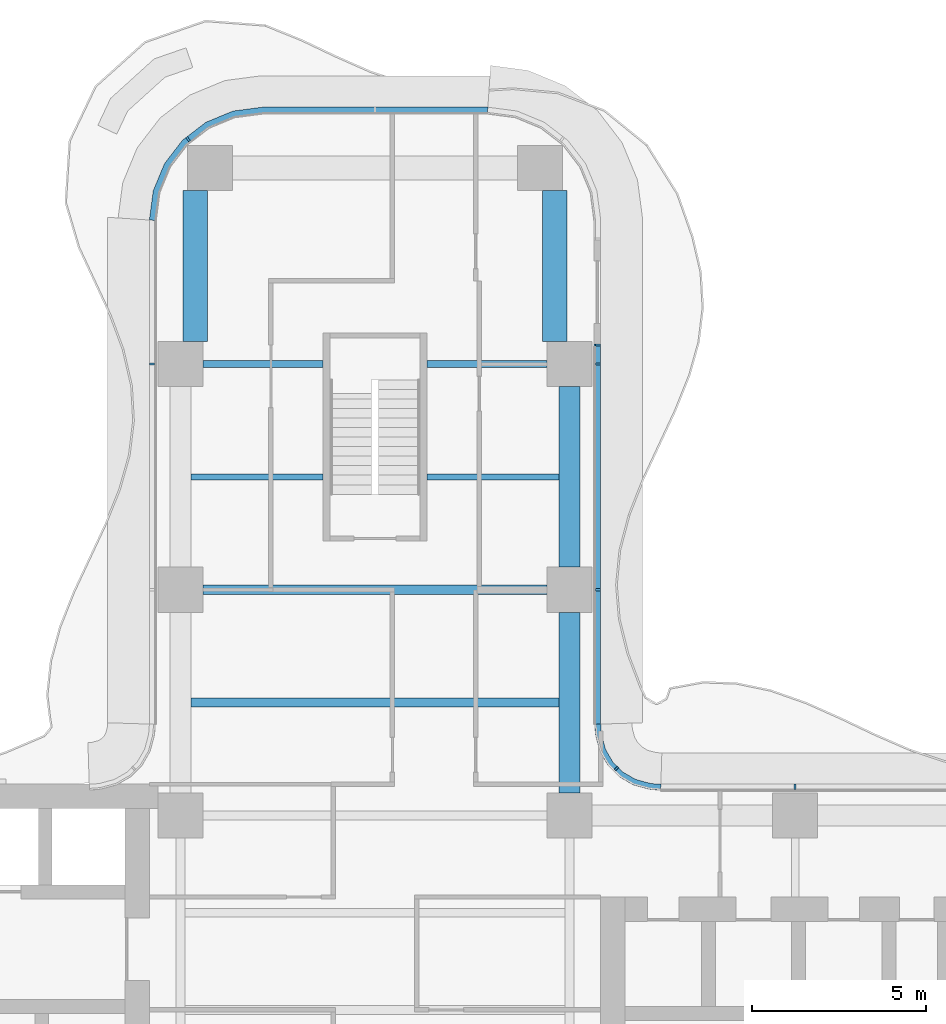
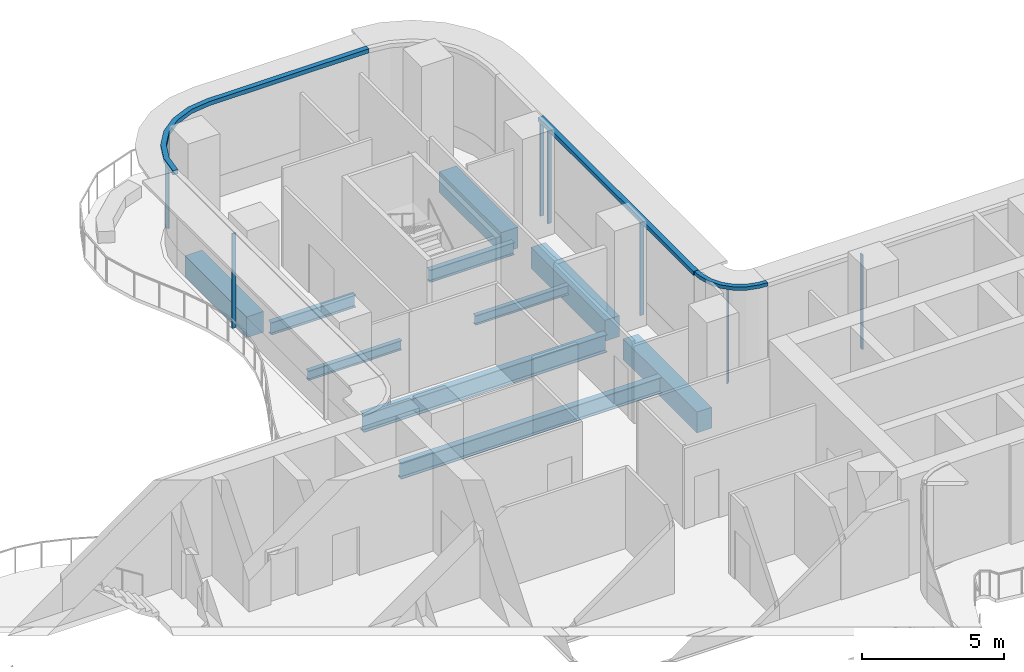
# One storey, part 9 of 20: 10 beams, 10 members, 5 elements without a shape of their own.
"""IFC4 building model written with IfcOpenShell, lengths in metres."""

from ifc_helpers import new_model, si_unit, direction, frame, origin, origin_2d, place, context, subcontext, project, spatial, polyline, rectangle, i_section, outline, extrude, source, transform, mapped, material, layer, layer_set, material_profile, profile_set, type_object, element, aggregate, save


model = new_model("IFC4")

# Units and contexts
model_context = context("Model", 3, precision=1e-05, world=origin(), true_north=direction((0.0, 1.0)))
body_context = subcontext(model_context, "Body", "Model", "MODEL_VIEW")
ifc_project = project(units=[si_unit("LENGTHUNIT", "METRE"), si_unit("AREAUNIT", "SQUARE_METRE"), si_unit("VOLUMEUNIT", "CUBIC_METRE"), si_unit("PLANEANGLEUNIT", "RADIAN"), si_unit("MASSUNIT", "GRAM", prefix="KILO")], contexts=[model_context])

# Site, building, storey
site_placement = place(None, origin())
site = spatial("IfcSite", under=ifc_project, at=site_placement, CompositionType="ELEMENT")
building_placement = place(site_placement, origin())
building = spatial("IfcBuilding", under=site, at=building_placement, Name="Trellis Farm Tower", CompositionType="ELEMENT")
storey_placement = place(building_placement, frame((0.0, 0.0, 133.5)))
storey = spatial("IfcBuildingStorey", under=building, at=storey_placement, Name="L28", CompositionType="ELEMENT", Elevation=133.5)

# Beams
ifc_material_1 = material(Name="Steel S355", Category="steel")
ifc_material_profile_1 = material_profile(ifc_material_1, i_section(OverallWidth=0.177978515625, OverallDepth=0.406494140625, WebThickness=0.0078125, FlangeThickness=0.0126953125, FilletRadius=0.01025390625, at=origin_2d()), Name="UB 406x178x60")
ifc_profile_set_1 = profile_set([ifc_material_profile_1], Name="Steel S355")
beam_type_1 = type_object("IfcBeamType", Name="UB 406x178x60 joist", PredefinedType="JOIST", material=ifc_profile_set_1)
shared_shape_1 = source(origin(), body_context, "Body", "SweptSolid", [
    extrude(i_section(OverallWidth=0.177978515625, OverallDepth=0.406494140625, WebThickness=0.0078125, FlangeThickness=0.0126953125, FilletRadius=0.01025390625, at=origin_2d()), origin(), (0.0, 0.0, 1.0), 3.800048828125),
])
for number, where, z_axis, x_axis, name in (
    (1, (-5.300048828125, 15.35009765625, -0.453125), (1.0, 0.0, 0.0), (0.0, 1.0, 0.0), "Floor beam"),
    (2, (1.5, 15.35009765625, -0.453125), (1.0, 0.0, 0.0), (0.0, 1.0, 0.0), "Floor beam"),
):
    element("IfcBeam", number, at=place(storey_placement, frame(where, z_axis=z_axis, x_axis=x_axis)), inside=storey, type_object=beam_type_1, Name=name, PredefinedType="JOIST", context=body_context, shape_type="MappedRepresentation", body=[
        mapped(shared_shape_1, transform((0.0, 0.0, 0.0))),
    ])
ifc_material_profile_2 = material_profile(ifc_material_1, i_section(OverallWidth=0.253662109375, OverallDepth=0.68359375, WebThickness=0.012451171875, FlangeThickness=0.021728515625, FilletRadius=0.01513671875, at=origin_2d()), Name="UB 686x254x140")
ifc_profile_set_2 = profile_set([ifc_material_profile_2], Name="Steel S355")
beam_type_2 = type_object("IfcBeamType", Name="UB 686x254x140 joist", PredefinedType="JOIST", material=ifc_profile_set_2)
shared_shape_2 = source(origin(), body_context, "Body", "SweptSolid", [
    extrude(i_section(OverallWidth=0.253662109375, OverallDepth=0.68359375, WebThickness=0.012451171875, FlangeThickness=0.021728515625, FilletRadius=0.01513671875, at=origin_2d()), origin(), (0.0, 0.0, 1.0), 10.60009765625),
])
beam_1_placement = place(storey_placement, frame((-5.300048828125, 8.85009765625, -0.591796875), z_axis=(1.0, 0.0, 0.0), x_axis=(0.0, 1.0, 0.0)))
element("IfcBeam", 3, at=beam_1_placement, inside=storey, type_object=beam_type_2, Name="Floor beam", PredefinedType="JOIST", context=body_context, shape_type="MappedRepresentation", body=[
    mapped(shared_shape_2, transform((0.0, 0.0, 0.0))),
])
ifc_material_profile_3 = material_profile(ifc_material_1, i_section(OverallWidth=0.209228515625, OverallDepth=0.533203125, WebThickness=0.010009765625, FlangeThickness=0.015625, FilletRadius=0.0126953125, at=origin_2d()), Name="UB 533x210x92")
ifc_profile_set_3 = profile_set([ifc_material_profile_3], Name="Steel S355")
beam_type_3 = type_object("IfcBeamType", Name="UB 533x210x92", PredefinedType="BEAM", material=ifc_profile_set_3)
shared_shape_3 = source(origin(), body_context, "Body", "SweptSolid", [
    extrude(i_section(OverallWidth=0.209228515625, OverallDepth=0.533203125, WebThickness=0.010009765625, FlangeThickness=0.015625, FilletRadius=0.0126953125, at=origin_2d()), origin(), (0.0, 0.0, 1.0), 3.449951171875),
])
for number, where, z_axis, x_axis, name in (
    (4, (-4.949951171875, 18.60009765625, -0.5166015625), (1.0, 0.0, 0.0), (0.0, 1.0, 0.0), "Girder"),
    (5, (1.5, 18.60009765625, -0.5166015625), (1.0, 0.0, 0.0), (0.0, 1.0, 0.0), "Girder"),
):
    element("IfcBeam", number, at=place(storey_placement, frame(where, z_axis=z_axis, x_axis=x_axis)), inside=storey, type_object=beam_type_3, Name=name, PredefinedType="BEAM", context=body_context, shape_type="MappedRepresentation", body=[
        mapped(shared_shape_3, transform((0.0, 0.0, 0.0))),
    ])
ifc_material_profile_4 = material_profile(ifc_material_1, i_section(OverallWidth=0.2666015625, OverallDepth=0.76220703125, WebThickness=0.014404296875, FlangeThickness=0.021484375, FilletRadius=0.0166015625, at=origin_2d()), Name="UB 762x267x173")
ifc_profile_set_4 = profile_set([ifc_material_profile_4], Name="Steel S355")
beam_type_4 = type_object("IfcBeamType", Name="UB 762x267x173", PredefinedType="BEAM", material=ifc_profile_set_4)
shared_shape_4 = source(origin(), body_context, "Body", "SweptSolid", [
    extrude(i_section(OverallWidth=0.2666015625, OverallDepth=0.76220703125, WebThickness=0.014404296875, FlangeThickness=0.021484375, FilletRadius=0.0166015625, at=origin_2d()), origin(), (0.0, 0.0, 1.0), 9.89990234375),
])
beam_2_placement = place(storey_placement, frame((-4.949951171875, 12.10009765625, -0.631103515625), z_axis=(1.0, 0.0, 0.0), x_axis=(0.0, 1.0, 0.0)))
element("IfcBeam", 6, at=beam_2_placement, inside=storey, type_object=beam_type_4, Name="Girder", PredefinedType="BEAM", context=body_context, shape_type="MappedRepresentation", body=[
    mapped(shared_shape_4, transform((0.0, 0.0, 0.0))),
])
ifc_material_2 = material(Name="Concrete C60/75", Category="concrete")
ifc_material_profile_5 = material_profile(ifc_material_2, rectangle(XDim=0.60009765625, YDim=0.89990234375, at=origin_2d()), Name="RC spandrel beam 600x900 C60/75")
ifc_profile_set_5 = profile_set([ifc_material_profile_5], Name="Concrete C60/75")
beam_type_5 = type_object("IfcBeamType", Name="RC spandrel beam 600x900 C60/75", PredefinedType="SPANDREL", material=ifc_profile_set_5)
shared_shape_5 = source(origin(), body_context, "Body", "SweptSolid", [
    extrude(rectangle(XDim=0.60009765625, YDim=0.89990234375, at=origin_2d()), origin(), (0.0, 0.0, 1.0), 5.199951171875),
])
for number, where, z_axis, x_axis, name in (
    (7, (5.60009765625, 6.25, -0.699951171875), (0.0, 1.0, 0.0), (-1.0, 0.0, 0.0), "Girder"),
    (8, (5.60009765625, 12.75, -0.699951171875), (0.0, 1.0, 0.0), (-1.0, 0.0, 0.0), "Girder"),
):
    element("IfcBeam", number, at=place(storey_placement, frame(where, z_axis=z_axis, x_axis=x_axis)), inside=storey, type_object=beam_type_5, Name=name, PredefinedType="SPANDREL", context=body_context, shape_type="MappedRepresentation", body=[
        mapped(shared_shape_5, transform((0.0, 0.0, 0.0))),
    ])
ifc_material_profile_6 = material_profile(ifc_material_2, rectangle(XDim=0.699951171875, YDim=0.89990234375, at=origin_2d()), Name="RC spandrel beam 700x900 C60/75")
ifc_profile_set_6 = profile_set([ifc_material_profile_6], Name="Concrete C60/75")
beam_type_6 = type_object("IfcBeamType", Name="RC spandrel beam 700x900 C60/75", PredefinedType="SPANDREL", material=ifc_profile_set_6)
shared_shape_6 = source(origin(), body_context, "Body", "SweptSolid", [
    extrude(rectangle(XDim=0.699951171875, YDim=0.89990234375, at=origin_2d()), origin(), (0.0, 0.0, 1.0), 4.35009765625),
])
for number, where, z_axis, x_axis, name in (
    (9, (-5.175048828125, 19.25, -0.699951171875), (0.0, 1.0, 0.0), (-1.0, 0.0, 0.0), "Girder"),
    (10, (5.175048828125, 19.25, -0.699951171875), (0.0, 1.0, 0.0), (-1.0, 0.0, 0.0), "Girder"),
):
    element("IfcBeam", number, at=place(storey_placement, frame(where, z_axis=z_axis, x_axis=x_axis)), inside=storey, type_object=beam_type_6, Name=name, PredefinedType="SPANDREL", context=body_context, shape_type="MappedRepresentation", body=[
        mapped(shared_shape_6, transform((0.0, 0.0, 0.0))),
    ])

# Curtain wall, member
ifc_material_3 = material(Name="Aluminium and glass curtain wall", Category="aluminium")
ifc_layer_1 = layer(ifc_material_3, 0.18994140625)
ifc_layer_set_1 = layer_set([ifc_layer_1], Name="RIBBON CURTAIN WALL CW1")
curtain_wall_type_1 = type_object("IfcCurtainWallType", Name="RIBBON CURTAIN WALL CW1", PredefinedType="NOTDEFINED", material=ifc_layer_set_1)
placement_1 = place(storey_placement, origin())
curtain_wall_1 = element("IfcCurtainWall", 11, at=placement_1, inside=storey, type_object=curtain_wall_type_1, Name="CW1 007", PredefinedType="NOTDEFINED")
ifc_material_4 = material(Name="Aluminium extrusion 6063-T6", Category="aluminium")
ifc_material_profile_7 = material_profile(ifc_material_4, rectangle(XDim=0.06005859375, YDim=0.14990234375, at=origin_2d()), Name="MULLION 60x150")
ifc_profile_set_7 = profile_set([ifc_material_profile_7], Name="Aluminium extrusion 6063-T6")
member_type_1 = type_object("IfcMemberType", Name="CW1 MULLION 60x150", PredefinedType="MULLION", material=ifc_profile_set_7)
shared_shape_7 = source(origin(), body_context, "Body", "SweptSolid", [
    extrude(rectangle(XDim=0.06005859375, YDim=0.14990234375, at=origin_2d()), origin(), (0.0, 0.0, 1.0), 4.070068359375),
])
member_1_placement = place(storey_placement, frame((12.10009765625, 6.425048828125, 0.0), z_axis=(0.0, 0.0, 1.0), x_axis=(-1.0, 0.0, 0.0)))
member_1 = element("IfcMember", 12, at=member_1_placement, type_object=member_type_1, Name="MU1 007-02", PredefinedType="MULLION", context=body_context, shape_type="MappedRepresentation", body=[
    mapped(shared_shape_7, transform((0.0, 0.0, 0.0))),
])
aggregate(curtain_wall_1, [member_1])

# Curtain wall, members
curtain_wall_2 = element("IfcCurtainWall", 13, at=placement_1, inside=storey, type_object=curtain_wall_type_1, Name="CW1 008", PredefinedType="NOTDEFINED")
member_2_placement = place(storey_placement, frame((6.425048828125, 12.10009765625, 0.0), z_axis=(0.0, 0.0, 1.0), x_axis=(0.0, 1.0, 0.0)))
member_2 = element("IfcMember", 14, at=member_2_placement, type_object=member_type_1, Name="MU1 008-01", PredefinedType="MULLION", context=body_context, shape_type="MappedRepresentation", body=[
    mapped(shared_shape_7, transform((0.0, 0.0, 0.0))),
])
member_3_placement = place(storey_placement, frame((6.425048828125, 18.60009765625, 0.0), z_axis=(0.0, 0.0, 1.0), x_axis=(0.0, 1.0, 0.0)))
member_3 = element("IfcMember", 15, at=member_3_placement, type_object=member_type_1, Name="MU1 008-02", PredefinedType="MULLION", context=body_context, shape_type="MappedRepresentation", body=[
    mapped(shared_shape_7, transform((0.0, 0.0, 0.0))),
])
member_4_placement = place(storey_placement, frame((6.425048828125, 19.14501953125, 0.0), z_axis=(0.0, 0.0, 1.0), x_axis=(0.0, 1.0, 0.0)))
member_4 = element("IfcMember", 16, at=member_4_placement, type_object=member_type_1, Name="MU1 008-03", PredefinedType="MULLION", context=body_context, shape_type="MappedRepresentation", body=[
    mapped(shared_shape_7, transform((0.0, 0.0, 0.0))),
])

# Curtain wall, member
curtain_wall_3 = element("IfcCurtainWall", 17, at=placement_1, inside=storey, type_object=curtain_wall_type_1, Name="CW1 010", PredefinedType="NOTDEFINED")
member_5_placement = place(storey_placement, frame((-5.385498046875, 25.078369140625, 0.0), z_axis=(0.0, 0.0, 1.0), x_axis=(-0.793353340291, -0.608761429009, 0.0)))
member_5 = element("IfcMember", 18, at=member_5_placement, type_object=member_type_1, Name="MU1 010-02", PredefinedType="MULLION", context=body_context, shape_type="MappedRepresentation", body=[
    mapped(shared_shape_7, transform((0.0, 0.0, 0.0))),
])

curtain_wall_4 = element("IfcCurtainWall", 19, at=placement_1, inside=storey, type_object=curtain_wall_type_1, Name="CW1 011", PredefinedType="NOTDEFINED")
member_6_placement = place(storey_placement, frame((-6.425048828125, 18.60009765625, 0.0), z_axis=(0.0, 0.0, 1.0), x_axis=(0.0, -1.0, 0.0)))
member_6 = element("IfcMember", 20, at=member_6_placement, type_object=member_type_1, Name="MU1 011-01", PredefinedType="MULLION", context=body_context, shape_type="MappedRepresentation", body=[
    mapped(shared_shape_7, transform((0.0, 0.0, 0.0))),
])
aggregate(curtain_wall_4, [member_6])

# Curtain wall, members
ifc_layer_2 = layer(ifc_material_3, 0.166015625)
ifc_layer_set_2 = layer_set([ifc_layer_2], Name="WINTER GARDEN CURTAIN WALL CW3")
curtain_wall_type_2 = type_object("IfcCurtainWallType", Name="WINTER GARDEN CURTAIN WALL CW3", PredefinedType="NOTDEFINED", material=ifc_layer_set_2)
curtain_wall_5 = element("IfcCurtainWall", 21, at=placement_1, inside=storey, type_object=curtain_wall_type_2, Name="CW3 003", PredefinedType="NOTDEFINED")
ifc_material_profile_8 = material_profile(ifc_material_4, rectangle(XDim=0.050048828125, YDim=0.1201171875, at=origin_2d()), Name="MULLION 50x120")
ifc_profile_set_8 = profile_set([ifc_material_profile_8], Name="Aluminium extrusion 6063-T6")
member_type_2 = type_object("IfcMemberType", Name="CW3 MULLION 50x120", PredefinedType="MULLION", material=ifc_profile_set_8)
shared_shape_8 = source(origin(), body_context, "Body", "SweptSolid", [
    extrude(rectangle(XDim=0.050048828125, YDim=0.1201171875, at=origin_2d()), origin(), (0.0, 0.0, 1.0), 4.10009765625),
])
member_7_placement = place(storey_placement, frame((6.953125, 6.953125, 0.0), z_axis=(0.0, 0.0, 1.0), x_axis=(-0.707106781187, 0.707106781187, 0.0)))
member_7 = element("IfcMember", 22, at=member_7_placement, type_object=member_type_2, Name="MU3 003-01", PredefinedType="MULLION", context=body_context, shape_type="MappedRepresentation", body=[
    mapped(shared_shape_8, transform((0.0, 0.0, 0.0))),
])
ifc_layer_3 = layer(ifc_material_4, 0.169921875)
ifc_layer_set_3 = layer_set([ifc_layer_3], Name="Aluminium extrusion 6063-T6")
member_type_3 = type_object("IfcMemberType", Name="CW3 TRANSOM 170x150", PredefinedType="USERDEFINED", material=ifc_layer_set_3)
shared_shape_9 = source(origin(), body_context, "Body", "SweptSolid", [
    extrude(outline(polyline([(8.2314453125, 6.5), (8.01953125, 6.513916015625), (7.91552734375, 6.527587890625), (7.508544921875, 6.63671875), (7.144287109375, 6.846923828125), (6.846923828125, 7.144287109375), (6.63671875, 7.508544921875), (6.527587890625, 7.91552734375), (6.513916015625, 8.01953125), (6.5, 8.2314453125), (6.330078125, 8.225830078125), (6.3447265625, 8.0029296875), (6.360595703125, 7.88232421875), (6.478271484375, 7.44287109375), (6.7109375, 7.0400390625), (7.0400390625, 6.7109375), (7.44287109375, 6.478271484375), (7.88232421875, 6.360595703125), (8.0029296875, 6.3447265625), (8.225830078125, 6.330078125), (8.2314453125, 6.5)])), origin(), (0.0, 0.0, 1.0), 0.14990234375),
])
member_8_placement = place(storey_placement, frame((0.0, 0.0, 4.10009765625)))
member_8 = element("IfcMember", 23, at=member_8_placement, type_object=member_type_3, Name="TR3 003", ObjectType="TRANSOM", PredefinedType="USERDEFINED", context=body_context, shape_type="MappedRepresentation", body=[
    mapped(shared_shape_9, transform((0.0, 0.0, 0.0))),
])
aggregate(curtain_wall_5, [member_7, member_8])

# Member
ifc_layer_4 = layer(ifc_material_4, 0.199951171875)
ifc_layer_set_4 = layer_set([ifc_layer_4], Name="Aluminium extrusion 6063-T6")
member_type_4 = type_object("IfcMemberType", Name="CW1 TRANSOM 200x180", PredefinedType="USERDEFINED", material=ifc_layer_set_4)
shared_shape_10 = source(origin(), body_context, "Body", "SweptSolid", [
    extrude(outline(polyline([(3.25, 26.0), (-3.25, 26.0), (-4.091064453125, 25.88916015625), (-4.875, 25.564697265625), (-5.548095703125, 25.048095703125), (-6.064697265625, 24.375), (-6.38916015625, 23.591064453125), (-6.5, 22.75), (-6.300048828125, 22.73681640625), (-6.1943359375, 23.5390625), (-5.889892578125, 24.274169921875), (-5.405517578125, 24.905517578125), (-4.774169921875, 25.389892578125), (-4.0390625, 25.6943359375), (-3.23681640625, 25.800048828125), (3.23681640625, 25.800048828125), (3.25, 26.0)])), origin(), (0.0, 0.0, 1.0), 0.179931640625),
])
placement_2 = place(storey_placement, frame((0.0, 0.0, 4.070068359375)))
member_9 = element("IfcMember", 24, at=placement_2, type_object=member_type_4, Name="TR1 010", ObjectType="TRANSOM", PredefinedType="USERDEFINED", context=body_context, shape_type="MappedRepresentation", body=[
    mapped(shared_shape_10, transform((0.0, 0.0, 0.0))),
])

aggregate(curtain_wall_3, [member_5, member_9])

shared_shape_11 = source(origin(), body_context, "Body", "SweptSolid", [
    extrude(outline(polyline([(6.5, 8.2314453125), (6.5, 19.175048828125), (6.300048828125, 19.175048828125), (6.300048828125, 8.224853515625), (6.5, 8.2314453125)])), origin(), (0.0, 0.0, 1.0), 0.179931640625),
])
member_10 = element("IfcMember", 25, at=placement_2, type_object=member_type_4, Name="TR1 008", ObjectType="TRANSOM", PredefinedType="USERDEFINED", context=body_context, shape_type="MappedRepresentation", body=[
    mapped(shared_shape_11, transform((0.0, 0.0, 0.0))),
])

aggregate(curtain_wall_2, [member_2, member_3, member_4, member_10])

save(model, "model.ifc")
